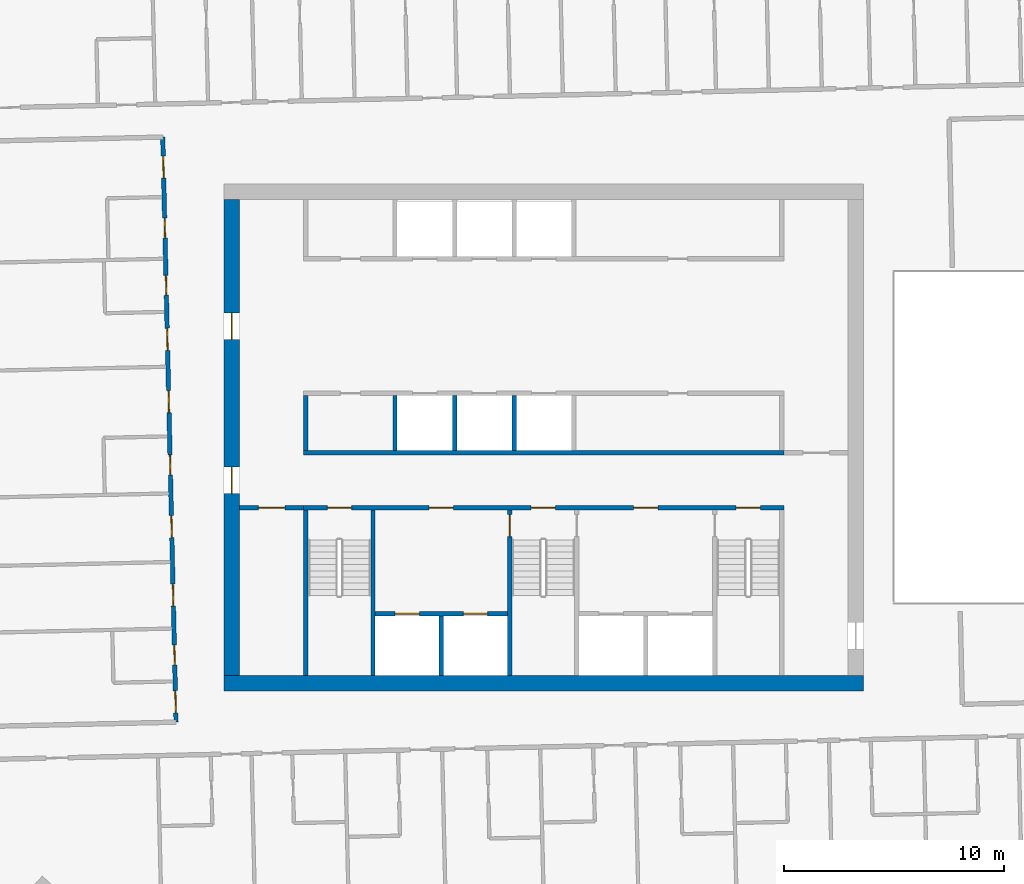
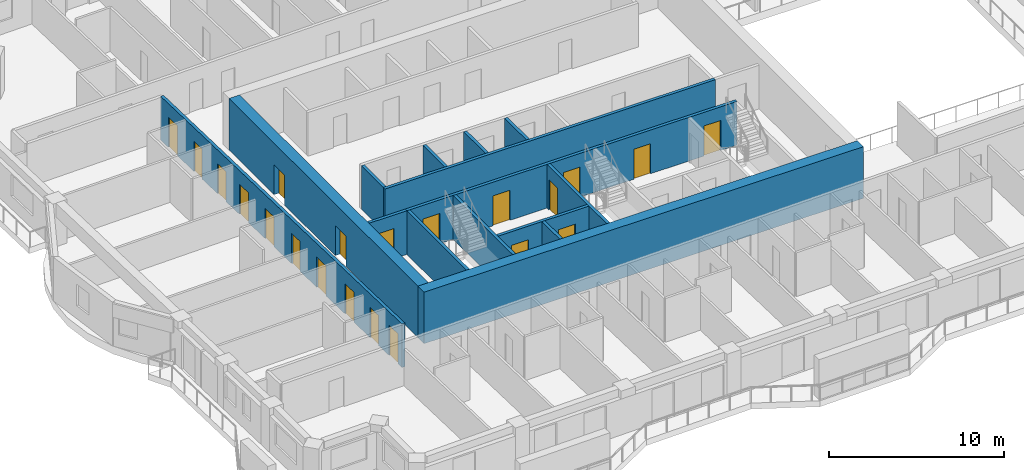
# One storey, part 8 of 18: 21 doors, 15 walls, 21 openings.
"""IFC4 building model written with IfcOpenShell, lengths in metres."""

from ifc_helpers import new_model, si_unit, direction, frame, frame_2d, origin, place, context, subcontext, project, spatial, rectangle, extrude, material, layer, layer_set, type_object, element, fill, save


model = new_model("IFC4")

# Units and contexts
model_context = context("Model", 3, precision=1e-05, world=origin(), true_north=direction((0.0, 1.0)))
body_context = subcontext(model_context, "Body", "Model", "MODEL_VIEW")
ifc_project = project(units=[si_unit("LENGTHUNIT", "METRE"), si_unit("AREAUNIT", "SQUARE_METRE"), si_unit("VOLUMEUNIT", "CUBIC_METRE"), si_unit("PLANEANGLEUNIT", "RADIAN"), si_unit("MASSUNIT", "GRAM", prefix="KILO")], contexts=[model_context])

# Site, building, storey
site_placement = place(None, origin())
site = spatial("IfcSite", under=ifc_project, at=site_placement, CompositionType="ELEMENT")
building_placement = place(site_placement, origin())
building = spatial("IfcBuilding", under=site, at=building_placement, Name="Mangrove Gate Tower", CompositionType="ELEMENT")
storey_placement = place(building_placement, frame((0.0, 0.0, 287.10009765625)))
storey = spatial("IfcBuildingStorey", under=building, at=storey_placement, Name="L73", CompositionType="ELEMENT", Elevation=287.10009765625)

# Wall, opening, door
ifc_material_1 = material(Name="Concrete C32/40", Category="concrete")
ifc_layer_1 = layer(ifc_material_1, 0.199951171875)
ifc_layer_set_1 = layer_set([ifc_layer_1], Name="Core lobby wall 200 C32/40")
wall_type_1 = type_object("IfcWallType", Name="Core lobby wall 200 C32/40", PredefinedType="STANDARD", material=ifc_layer_set_1)
wall_1_placement = place(storey_placement, frame((-13.800048828125, -3.199951171875, 0.0), z_axis=(0.0, 0.0, 1.0), x_axis=(1.0, 0.0, 0.0)))
wall_1 = element("IfcWall", 1, at=wall_1_placement, inside=storey, type_object=wall_type_1, Name="WALL-L73-CORE-31", PredefinedType="STANDARD", context=body_context, shape_type="SweptSolid", body=[
    extrude(rectangle(XDim=2.900146484375, YDim=0.199951171875, at=frame_2d((1.4501953125, 0.0))), origin(), (0.0, 0.0, 1.0), 3.0498046875),
])
opening_1_placement = place(wall_1_placement, frame((0.85009765625, 0.0, 0.0)))
opening_1 = element("IfcOpeningElement", 2, at=opening_1_placement, cuts=wall_1, Name="Opening FL12", PredefinedType="OPENING", context=body_context, shape_type="SweptSolid", body=[
    extrude(rectangle(XDim=1.199951171875, YDim=2.10009765625, at=frame_2d((0.60009765625, 1.050048828125))), frame((0.0, 0.10986328125, 0.0), z_axis=(0.0, -1.0, 0.0), x_axis=(1.0, 0.0, 0.0)), (0.0, 0.0, 1.0), 0.219970703125),
])
ifc_material_2 = material(Name="Fire-rated steel door set", Category="steel")
door_type_1 = type_object("IfcDoorType", Name="Lobby door FD60 1200x2100", OperationType="SINGLE_SWING_LEFT", PredefinedType="DOOR", material=ifc_material_2)
door_1_placement = place(opening_1_placement, origin())
door_1 = element("IfcDoor", 3, at=door_1_placement, inside=storey, type_object=door_type_1, Name="Lobby door core corridor W partition", OperationType="SINGLE_SWING_LEFT", OverallHeight=2.10009765625, OverallWidth=1.199951171875, PredefinedType="DOOR", context=body_context, shape_type="SweptSolid", body=[
    extrude(rectangle(XDim=1.199951171875, YDim=2.10009765625, at=frame_2d((0.60009765625, 1.050048828125))), frame((0.0, 0.02490234375, 0.0), z_axis=(0.0, -1.0, 0.0), x_axis=(1.0, 0.0, 0.0)), (0.0, 0.0, 1.0), 0.050048828125),
])
fill(opening_1, door_1)

# Walls
ifc_material_3 = material(Name="Concrete C32/40", Category="concrete")
ifc_layer_2 = layer(ifc_material_3, 0.199951171875)
ifc_layer_set_2 = layer_set([ifc_layer_2], Name="Core room wall 200 C32/40")
wall_type_2 = type_object("IfcWallType", Name="Core room wall 200 C32/40", PredefinedType="STANDARD", material=ifc_layer_set_2)
wall_2_placement = place(storey_placement, frame((-10.800048828125, -0.60009765625, 0.0), z_axis=(0.0, 0.0, 1.0), x_axis=(0.0, 1.0, 0.0)))
element("IfcWall", 4, at=wall_2_placement, inside=storey, type_object=wall_type_2, Name="WALL-L73-CORE-19", PredefinedType="STANDARD", context=body_context, shape_type="SweptSolid", body=[
    extrude(rectangle(XDim=2.5, YDim=0.199951171875, at=frame_2d((1.25, 0.0))), origin(), (0.0, 0.0, 1.0), 3.0498046875),
])
ifc_material_4 = material(Name="Concrete C50/60", Category="concrete")
ifc_layer_3 = layer(ifc_material_4, 0.199951171875)
ifc_layer_set_3 = layer_set([ifc_layer_3], Name="Core shaft wall 200 C50/60")
wall_type_3 = type_object("IfcWallType", Name="Core shaft wall 200 C50/60", PredefinedType="SHEAR", material=ifc_layer_set_3)
wall_3_placement = place(storey_placement, frame((-10.89990234375, -0.699951171875, 0.0), z_axis=(0.0, 0.0, 1.0), x_axis=(1.0, 0.0, 0.0)))
element("IfcWall", 5, at=wall_3_placement, inside=storey, type_object=wall_type_3, Name="WALL-L73-CORE-6", PredefinedType="SHEAR", context=body_context, shape_type="SweptSolid", body=[
    extrude(rectangle(XDim=21.7998046875, YDim=0.199951171875, at=frame_2d((10.89990234375, 0.0))), origin(), (0.0, 0.0, 1.0), 3.0498046875),
])

# Wall, openings, doors
wall_4_placement = place(storey_placement, frame((-7.64990234375, -8.0, 0.0), z_axis=(0.0, 0.0, 1.0), x_axis=(1.0, 0.0, 0.0)))
wall_4 = element("IfcWall", 6, at=wall_4_placement, inside=storey, type_object=wall_type_3, Name="WALL-L73-CORE-15", PredefinedType="SHEAR", context=body_context, shape_type="SweptSolid", body=[
    extrude(rectangle(XDim=6.0, YDim=0.199951171875, at=frame_2d((3.0, 0.0))), origin(), (0.0, 0.0, 1.0), 3.0498046875),
])
opening_2_placement = place(wall_4_placement, frame((0.89990234375, 0.0, 0.0)))
opening_2 = element("IfcOpeningElement", 7, at=opening_2_placement, cuts=wall_4, Name="Opening LD", PredefinedType="OPENING", context=body_context, shape_type="SweptSolid", body=[
    extrude(rectangle(XDim=1.10009765625, YDim=2.10009765625, at=frame_2d((0.550048828125, 1.050048828125))), frame((0.0, 0.10986328125, 0.0), z_axis=(0.0, -1.0, 0.0), x_axis=(1.0, 0.0, 0.0)), (0.0, 0.0, 1.0), 0.219970703125),
])
opening_3_placement = place(wall_4_placement, frame((4.0, 0.0, 0.0)))
opening_3 = element("IfcOpeningElement", 8, at=opening_3_placement, cuts=wall_4, Name="Opening LD", PredefinedType="OPENING", context=body_context, shape_type="SweptSolid", body=[
    extrude(rectangle(XDim=1.10009765625, YDim=2.10009765625, at=frame_2d((0.550048828125, 1.050048828125))), frame((0.0, 0.10986328125, 0.0), z_axis=(0.0, -1.0, 0.0), x_axis=(1.0, 0.0, 0.0)), (0.0, 0.0, 1.0), 0.219970703125),
])
ifc_material_5 = material(Name="Stainless steel 316", Category="steel")
door_type_2 = type_object("IfcDoorType", Name="Lift landing door 1100x2100", OperationType="SLIDING_TO_LEFT", PredefinedType="DOOR", material=ifc_material_5)
door_2_placement = place(opening_2_placement, origin())
door_2 = element("IfcDoor", 9, at=door_2_placement, inside=storey, type_object=door_type_2, Name="Landing door LD SVL1", OperationType="SLIDING_TO_LEFT", OverallHeight=2.10009765625, OverallWidth=1.10009765625, PredefinedType="DOOR", context=body_context, shape_type="SweptSolid", body=[
    extrude(rectangle(XDim=1.10009765625, YDim=2.10009765625, at=frame_2d((0.550048828125, 1.050048828125))), frame((0.0, 0.02490234375, 0.0), z_axis=(0.0, -1.0, 0.0), x_axis=(1.0, 0.0, 0.0)), (0.0, 0.0, 1.0), 0.050048828125),
])
fill(opening_2, door_2)
door_3_placement = place(opening_3_placement, origin())
door_3 = element("IfcDoor", 10, at=door_3_placement, inside=storey, type_object=door_type_2, Name="Landing door LD SVL2", OperationType="SLIDING_TO_LEFT", OverallHeight=2.10009765625, OverallWidth=1.10009765625, PredefinedType="DOOR", context=body_context, shape_type="SweptSolid", body=[
    extrude(rectangle(XDim=1.10009765625, YDim=2.10009765625, at=frame_2d((0.550048828125, 1.050048828125))), frame((0.0, 0.02490234375, 0.0), z_axis=(0.0, -1.0, 0.0), x_axis=(1.0, 0.0, 0.0)), (0.0, 0.0, 1.0), 0.050048828125),
])
fill(opening_3, door_3)

# Walls
wall_5_placement = place(storey_placement, frame((-4.64990234375, -10.800048828125, 0.0), z_axis=(0.0, 0.0, 1.0), x_axis=(0.0, 1.0, 0.0)))
element("IfcWall", 11, at=wall_5_placement, inside=storey, type_object=wall_type_3, Name="WALL-L73-CORE-16", PredefinedType="SHEAR", context=body_context, shape_type="SweptSolid", body=[
    extrude(rectangle(XDim=2.699951171875, YDim=0.199951171875, at=frame_2d((1.35009765625, 0.0))), origin(), (0.0, 0.0, 1.0), 3.0498046875),
])
for number, where, z_axis, x_axis, name in (
    (12, (-6.75, -0.60009765625, 0.0), (0.0, 0.0, 1.0), (0.0, 1.0, 0.0), "WALL-L73-CORE-20"),
    (13, (-4.050048828125, -0.60009765625, 0.0), (0.0, 0.0, 1.0), (0.0, 1.0, 0.0), "WALL-L73-CORE-21"),
    (14, (-1.35009765625, -0.60009765625, 0.0), (0.0, 0.0, 1.0), (0.0, 1.0, 0.0), "WALL-L73-CORE-22"),
):
    element("IfcWall", number, at=place(storey_placement, frame(where, z_axis=z_axis, x_axis=x_axis)), inside=storey, type_object=wall_type_3, Name=name, PredefinedType="SHEAR", context=body_context, shape_type="SweptSolid", body=[
        extrude(rectangle(XDim=2.5, YDim=0.199951171875, at=frame_2d((1.25, 0.0))), origin(), (0.0, 0.0, 1.0), 3.0498046875),
    ])

# Wall, openings, doors
ifc_material_6 = material(Name="Concrete C50/60", Category="concrete")
ifc_layer_4 = layer(ifc_material_6, 0.199951171875)
ifc_layer_set_4 = layer_set([ifc_layer_4], Name="Core stair wall 200 C50/60")
wall_type_4 = type_object("IfcWallType", Name="Core stair wall 200 C50/60", PredefinedType="SHEAR", material=ifc_layer_set_4)
wall_6_placement = place(storey_placement, frame((-10.89990234375, -3.199951171875, 0.0), z_axis=(0.0, 0.0, 1.0), x_axis=(1.0, 0.0, 0.0)))
wall_6 = element("IfcWall", 15, at=wall_6_placement, inside=storey, type_object=wall_type_4, Name="WALL-L73-CORE-5", PredefinedType="SHEAR", context=body_context, shape_type="SweptSolid", body=[
    extrude(rectangle(XDim=21.7998046875, YDim=0.199951171875, at=frame_2d((10.89990234375, 0.0))), origin(), (0.0, 0.0, 1.0), 3.0498046875),
])
opening_4_placement = place(wall_6_placement, frame((1.074951171875, 0.0, 0.0)))
opening_4 = element("IfcOpeningElement", 16, at=opening_4_placement, cuts=wall_6, Name="Opening STD11", PredefinedType="OPENING", context=body_context, shape_type="SweptSolid", body=[
    extrude(rectangle(XDim=1.10009765625, YDim=2.10009765625, at=frame_2d((0.550048828125, 1.050048828125))), frame((0.0, 0.10986328125, 0.0), z_axis=(0.0, -1.0, 0.0), x_axis=(1.0, 0.0, 0.0)), (0.0, 0.0, 1.0), 0.219970703125),
])
opening_5_placement = place(wall_6_placement, frame((10.324951171875, 0.0, 0.0)))
opening_5 = element("IfcOpeningElement", 17, at=opening_5_placement, cuts=wall_6, Name="Opening STD11", PredefinedType="OPENING", context=body_context, shape_type="SweptSolid", body=[
    extrude(rectangle(XDim=1.10009765625, YDim=2.10009765625, at=frame_2d((0.550048828125, 1.050048828125))), frame((0.0, 0.10986328125, 0.0), z_axis=(0.0, -1.0, 0.0), x_axis=(1.0, 0.0, 0.0)), (0.0, 0.0, 1.0), 0.219970703125),
])
opening_6_placement = place(wall_6_placement, frame((19.625, 0.0, 0.0)))
opening_6 = element("IfcOpeningElement", 18, at=opening_6_placement, cuts=wall_6, Name="Opening STD11", PredefinedType="OPENING", context=body_context, shape_type="SweptSolid", body=[
    extrude(rectangle(XDim=1.10009765625, YDim=2.10009765625, at=frame_2d((0.550048828125, 1.050048828125))), frame((0.0, 0.10986328125, 0.0), z_axis=(0.0, -1.0, 0.0), x_axis=(1.0, 0.0, 0.0)), (0.0, 0.0, 1.0), 0.219970703125),
])
opening_7_placement = place(wall_6_placement, frame((5.699951171875, 0.0, 0.0)))
opening_7 = element("IfcOpeningElement", 19, at=opening_7_placement, cuts=wall_6, Name="Opening FL", PredefinedType="OPENING", context=body_context, shape_type="SweptSolid", body=[
    extrude(rectangle(XDim=1.10009765625, YDim=2.10009765625, at=frame_2d((0.550048828125, 1.050048828125))), frame((0.0, 0.10986328125, 0.0), z_axis=(0.0, -1.0, 0.0), x_axis=(1.0, 0.0, 0.0)), (0.0, 0.0, 1.0), 0.219970703125),
])
opening_8_placement = place(wall_6_placement, frame((14.97509765625, 0.0, 0.0)))
opening_8 = element("IfcOpeningElement", 20, at=opening_8_placement, cuts=wall_6, Name="Opening FL", PredefinedType="OPENING", context=body_context, shape_type="SweptSolid", body=[
    extrude(rectangle(XDim=1.10009765625, YDim=2.10009765625, at=frame_2d((0.550048828125, 1.050048828125))), frame((0.0, 0.10986328125, 0.0), z_axis=(0.0, -1.0, 0.0), x_axis=(1.0, 0.0, 0.0)), (0.0, 0.0, 1.0), 0.219970703125),
])
ifc_material_7 = material(Name="Fire-rated steel door set", Category="steel")
door_type_3 = type_object("IfcDoorType", Name="Lobby door FD60 1100x2100", OperationType="SINGLE_SWING_LEFT", PredefinedType="DOOR", material=ifc_material_7)
door_4_placement = place(opening_7_placement, origin())
door_4 = element("IfcDoor", 21, at=door_4_placement, inside=storey, type_object=door_type_3, Name="Lobby door service lobby", OperationType="SINGLE_SWING_LEFT", OverallHeight=2.10009765625, OverallWidth=1.10009765625, PredefinedType="DOOR", context=body_context, shape_type="SweptSolid", body=[
    extrude(rectangle(XDim=1.10009765625, YDim=2.10009765625, at=frame_2d((0.550048828125, 1.050048828125))), frame((0.0, 0.02490234375, 0.0), z_axis=(0.0, -1.0, 0.0), x_axis=(1.0, 0.0, 0.0)), (0.0, 0.0, 1.0), 0.050048828125),
])
fill(opening_7, door_4)
door_5_placement = place(opening_8_placement, origin())
door_5 = element("IfcDoor", 22, at=door_5_placement, inside=storey, type_object=door_type_3, Name="Lobby door fire-fighting lobby", OperationType="SINGLE_SWING_LEFT", OverallHeight=2.10009765625, OverallWidth=1.10009765625, PredefinedType="DOOR", context=body_context, shape_type="SweptSolid", body=[
    extrude(rectangle(XDim=1.10009765625, YDim=2.10009765625, at=frame_2d((0.550048828125, 1.050048828125))), frame((0.0, 0.02490234375, 0.0), z_axis=(0.0, -1.0, 0.0), x_axis=(1.0, 0.0, 0.0)), (0.0, 0.0, 1.0), 0.050048828125),
])
fill(opening_8, door_5)
ifc_material_8 = material(Name="Fire-rated steel door set", Category="steel")
door_type_4 = type_object("IfcDoorType", Name="Stair door FD60 1100x2100", OperationType="SINGLE_SWING_RIGHT", PredefinedType="DOOR", material=ifc_material_8)
door_6_placement = place(opening_4_placement, origin())
door_6 = element("IfcDoor", 23, at=door_6_placement, inside=storey, type_object=door_type_4, Name="Stair door Stair 1", OperationType="SINGLE_SWING_RIGHT", OverallHeight=2.10009765625, OverallWidth=1.10009765625, PredefinedType="DOOR", context=body_context, shape_type="SweptSolid", body=[
    extrude(rectangle(XDim=1.10009765625, YDim=2.10009765625, at=frame_2d((0.550048828125, 1.050048828125))), frame((0.0, 0.02490234375, 0.0), z_axis=(0.0, -1.0, 0.0), x_axis=(1.0, 0.0, 0.0)), (0.0, 0.0, 1.0), 0.050048828125),
])
fill(opening_4, door_6)
door_7_placement = place(opening_5_placement, origin())
door_7 = element("IfcDoor", 24, at=door_7_placement, inside=storey, type_object=door_type_4, Name="Stair door Stair 2", OperationType="SINGLE_SWING_RIGHT", OverallHeight=2.10009765625, OverallWidth=1.10009765625, PredefinedType="DOOR", context=body_context, shape_type="SweptSolid", body=[
    extrude(rectangle(XDim=1.10009765625, YDim=2.10009765625, at=frame_2d((0.550048828125, 1.050048828125))), frame((0.0, 0.02490234375, 0.0), z_axis=(0.0, -1.0, 0.0), x_axis=(1.0, 0.0, 0.0)), (0.0, 0.0, 1.0), 0.050048828125),
])
fill(opening_5, door_7)
door_8_placement = place(opening_6_placement, origin())
door_8 = element("IfcDoor", 25, at=door_8_placement, inside=storey, type_object=door_type_4, Name="Stair door Stair 3", OperationType="SINGLE_SWING_RIGHT", OverallHeight=2.10009765625, OverallWidth=1.10009765625, PredefinedType="DOOR", context=body_context, shape_type="SweptSolid", body=[
    extrude(rectangle(XDim=1.10009765625, YDim=2.10009765625, at=frame_2d((0.550048828125, 1.050048828125))), frame((0.0, 0.02490234375, 0.0), z_axis=(0.0, -1.0, 0.0), x_axis=(1.0, 0.0, 0.0)), (0.0, 0.0, 1.0), 0.050048828125),
])
fill(opening_6, door_8)

# Walls
for number, where, z_axis, x_axis, name in (
    (26, (-10.800048828125, -10.800048828125, 0.0), (0.0, 0.0, 1.0), (0.0, 1.0, 0.0), "WALL-L73-CORE-9"),
    (27, (-7.75, -10.800048828125, 0.0), (0.0, 0.0, 1.0), (0.0, 1.0, 0.0), "WALL-L73-CORE-10"),
):
    element("IfcWall", number, at=place(storey_placement, frame(where, z_axis=z_axis, x_axis=x_axis)), inside=storey, type_object=wall_type_4, Name=name, PredefinedType="SHEAR", context=body_context, shape_type="SweptSolid", body=[
        extrude(rectangle(XDim=7.5, YDim=0.199951171875, at=frame_2d((3.75, 0.0))), origin(), (0.0, 0.0, 1.0), 3.0498046875),
    ])

# Wall, opening, door
wall_7_placement = place(storey_placement, frame((-1.550048828125, -10.800048828125, 0.0), z_axis=(0.0, 0.0, 1.0), x_axis=(0.0, 1.0, 0.0)))
wall_7 = element("IfcWall", 28, at=wall_7_placement, inside=storey, type_object=wall_type_4, Name="WALL-L73-CORE-11", PredefinedType="SHEAR", context=body_context, shape_type="SweptSolid", body=[
    extrude(rectangle(XDim=7.5, YDim=0.199951171875, at=frame_2d((3.75, 0.0))), origin(), (0.0, 0.0, 1.0), 3.0498046875),
])
opening_9_placement = place(wall_7_placement, frame((6.300048828125, 0.0, 0.0)))
opening_9 = element("IfcOpeningElement", 29, at=opening_9_placement, cuts=wall_7, Name="Opening STD10", PredefinedType="OPENING", context=body_context, shape_type="SweptSolid", body=[
    extrude(rectangle(XDim=1.0, YDim=2.10009765625, at=frame_2d((0.5, 1.050048828125))), frame((0.0, 0.10986328125, 0.0), z_axis=(0.0, -1.0, 0.0), x_axis=(1.0, 0.0, 0.0)), (0.0, 0.0, 1.0), 0.219970703125),
])
ifc_material_9 = material(Name="Fire-rated steel door set", Category="steel")
door_type_5 = type_object("IfcDoorType", Name="Stair door FD60 1000x2100", OperationType="SINGLE_SWING_RIGHT", PredefinedType="DOOR", material=ifc_material_9)
door_9_placement = place(opening_9_placement, origin())
door_9 = element("IfcDoor", 30, at=door_9_placement, inside=storey, type_object=door_type_5, Name="Stair door Stair 2 from service lobby", OperationType="SINGLE_SWING_RIGHT", OverallHeight=2.10009765625, OverallWidth=1.0, PredefinedType="DOOR", context=body_context, shape_type="SweptSolid", body=[
    extrude(rectangle(XDim=1.0, YDim=2.10009765625, at=frame_2d((0.5, 1.050048828125))), frame((0.0, 0.02490234375, 0.0), z_axis=(0.0, -1.0, 0.0), x_axis=(1.0, 0.0, 0.0)), (0.0, 0.0, 1.0), 0.050048828125),
])
fill(opening_9, door_9)

# Wall
ifc_material_10 = material(Name="Concrete C50/60", Category="concrete")
ifc_layer_5 = layer(ifc_material_10, 0.699951171875)
ifc_layer_set_5 = layer_set([ifc_layer_5], Name="Core wall 700 C50/60")
wall_type_5 = type_object("IfcWallType", Name="Core wall 700 C50/60", PredefinedType="SHEAR", material=ifc_layer_set_5)
wall_8_placement = place(storey_placement, frame((-14.5, -11.14990234375, 0.0), z_axis=(0.0, 0.0, 1.0), x_axis=(1.0, 0.0, 0.0)))
element("IfcWall", 31, at=wall_8_placement, inside=storey, type_object=wall_type_5, Name="WALL-L73-CORE-1", PredefinedType="SHEAR", context=body_context, shape_type="SweptSolid", body=[
    extrude(rectangle(XDim=29.0, YDim=0.699951171875, at=frame_2d((14.5, 0.0))), origin(), (0.0, 0.0, 1.0), 3.599853515625),
])

# Wall, openings, doors
wall_9_placement = place(storey_placement, frame((-14.14990234375, -10.800048828125, 0.0), z_axis=(0.0, 0.0, 1.0), x_axis=(0.0, 1.0, 0.0)))
wall_9 = element("IfcWall", 32, at=wall_9_placement, inside=storey, type_object=wall_type_5, Name="WALL-L73-CORE-3", PredefinedType="SHEAR", context=body_context, shape_type="SweptSolid", body=[
    extrude(rectangle(XDim=21.60009765625, YDim=0.699951171875, at=frame_2d((10.800048828125, 0.0))), origin(), (0.0, 0.0, 1.0), 3.599853515625),
])
opening_10_placement = place(wall_9_placement, frame((8.25, 0.0, 0.0)))
opening_10 = element("IfcOpeningElement", 33, at=opening_10_placement, cuts=wall_9, Name="Opening CD", PredefinedType="OPENING", context=body_context, shape_type="SweptSolid", body=[
    extrude(rectangle(XDim=1.199951171875, YDim=2.10009765625, at=frame_2d((0.60009765625, 1.050048828125))), frame((0.0, 0.35986328125, 0.0), z_axis=(0.0, -1.0, 0.0), x_axis=(1.0, 0.0, 0.0)), (0.0, 0.0, 1.0), 0.719970703125),
])
opening_11_placement = place(wall_9_placement, frame((15.25, 0.0, 0.0)))
opening_11 = element("IfcOpeningElement", 34, at=opening_11_placement, cuts=wall_9, Name="Opening CD", PredefinedType="OPENING", context=body_context, shape_type="SweptSolid", body=[
    extrude(rectangle(XDim=1.199951171875, YDim=2.10009765625, at=frame_2d((0.60009765625, 1.050048828125))), frame((0.0, 0.35986328125, 0.0), z_axis=(0.0, -1.0, 0.0), x_axis=(1.0, 0.0, 0.0)), (0.0, 0.0, 1.0), 0.719970703125),
])
ifc_material_11 = material(Name="Fire-rated steel door set", Category="steel")
door_type_6 = type_object("IfcDoorType", Name="Core ring door FD60 1200x2100", OperationType="DOUBLE_DOOR_SINGLE_SWING", PredefinedType="DOOR", material=ifc_material_11)
door_10_placement = place(opening_10_placement, origin())
door_10 = element("IfcDoor", 35, at=door_10_placement, inside=storey, type_object=door_type_6, Name="Core ring door W1", OperationType="DOUBLE_DOOR_SINGLE_SWING", OverallHeight=2.10009765625, OverallWidth=1.199951171875, PredefinedType="DOOR", context=body_context, shape_type="SweptSolid", body=[
    extrude(rectangle(XDim=1.199951171875, YDim=2.10009765625, at=frame_2d((0.60009765625, 1.050048828125))), frame((0.0, 0.02490234375, 0.0), z_axis=(0.0, -1.0, 0.0), x_axis=(1.0, 0.0, 0.0)), (0.0, 0.0, 1.0), 0.050048828125),
])
fill(opening_10, door_10)
door_11_placement = place(opening_11_placement, origin())
door_11 = element("IfcDoor", 36, at=door_11_placement, inside=storey, type_object=door_type_6, Name="Core ring door W2", OperationType="DOUBLE_DOOR_SINGLE_SWING", OverallHeight=2.10009765625, OverallWidth=1.199951171875, PredefinedType="DOOR", context=body_context, shape_type="SweptSolid", body=[
    extrude(rectangle(XDim=1.199951171875, YDim=2.10009765625, at=frame_2d((0.60009765625, 1.050048828125))), frame((0.0, 0.02490234375, 0.0), z_axis=(0.0, -1.0, 0.0), x_axis=(1.0, 0.0, 0.0)), (0.0, 0.0, 1.0), 0.050048828125),
])
fill(opening_11, door_11)

ifc_material_12 = material(Name="Gypsum board on steel stud, EI 60", Category="steel")
ifc_layer_6 = layer(ifc_material_12, 0.199951171875)
ifc_layer_set_6 = layer_set([ifc_layer_6], Name="Corridor wall EI 60")
wall_type_6 = type_object("IfcWallType", Name="Corridor wall EI 60", PredefinedType="PARTITIONING", material=ifc_layer_set_6)
wall_10_placement = place(storey_placement, frame((-16.68408203125, -12.9189453125, 0.0), z_axis=(0.0, 0.0, 1.0), x_axis=(-0.022712214871, 0.999742044377, 0.0)))
wall_10 = element("IfcWall", 37, at=wall_10_placement, inside=storey, type_object=wall_type_6, Name="WALL-L73-033", PredefinedType="PARTITIONING", context=body_context, shape_type="SweptSolid", body=[
    extrude(rectangle(XDim=26.55078125, YDim=0.199951171875, at=frame_2d((13.275390625, 0.0))), origin(), (0.0, 0.0, 1.0), 3.0498046875),
])
opening_12_placement = place(wall_10_placement, frame((24.68798828125, 0.0, 0.0)))
opening_12 = element("IfcOpeningElement", 38, at=opening_12_placement, cuts=wall_10, Name="Opening AD", PredefinedType="OPENING", context=body_context, shape_type="SweptSolid", body=[
    extrude(rectangle(XDim=1.0, YDim=2.10009765625, at=frame_2d((0.5, 1.050048828125))), frame((0.0, 0.10986328125, 0.0), z_axis=(0.0, -1.0, 0.0), x_axis=(1.0, 0.0, 0.0)), (0.0, 0.0, 1.0), 0.219970703125),
])
opening_13_placement = place(wall_10_placement, frame((21.97509765625, 0.0, 0.0)))
opening_13 = element("IfcOpeningElement", 39, at=opening_13_placement, cuts=wall_10, Name="Opening SD", PredefinedType="OPENING", context=body_context, shape_type="SweptSolid", body=[
    extrude(rectangle(XDim=0.89990234375, YDim=2.10009765625, at=frame_2d((0.449951171875, 1.050048828125))), frame((0.0, 0.10986328125, 0.0), z_axis=(0.0, -1.0, 0.0), x_axis=(1.0, 0.0, 0.0)), (0.0, 0.0, 1.0), 0.219970703125),
])
opening_14_placement = place(wall_10_placement, frame((16.875, 0.0, 0.0)))
opening_14 = element("IfcOpeningElement", 40, at=opening_14_placement, cuts=wall_10, Name="Opening AD", PredefinedType="OPENING", context=body_context, shape_type="SweptSolid", body=[
    extrude(rectangle(XDim=1.0, YDim=2.10009765625, at=frame_2d((0.5, 1.050048828125))), frame((0.0, 0.10986328125, 0.0), z_axis=(0.0, -1.0, 0.0), x_axis=(1.0, 0.0, 0.0)), (0.0, 0.0, 1.0), 0.219970703125),
])
opening_15_placement = place(wall_10_placement, frame((19.375, 0.0, 0.0)))
opening_15 = element("IfcOpeningElement", 41, at=opening_15_placement, cuts=wall_10, Name="Opening SD", PredefinedType="OPENING", context=body_context, shape_type="SweptSolid", body=[
    extrude(rectangle(XDim=0.89990234375, YDim=2.10009765625, at=frame_2d((0.449951171875, 1.050048828125))), frame((0.0, 0.10986328125, 0.0), z_axis=(0.0, -1.0, 0.0), x_axis=(1.0, 0.0, 0.0)), (0.0, 0.0, 1.0), 0.219970703125),
])
opening_16_placement = place(wall_10_placement, frame((14.050048828125, 0.0, 0.0)))
opening_16 = element("IfcOpeningElement", 42, at=opening_16_placement, cuts=wall_10, Name="Opening AD", PredefinedType="OPENING", context=body_context, shape_type="SweptSolid", body=[
    extrude(rectangle(XDim=1.0, YDim=2.10009765625, at=frame_2d((0.5, 1.050048828125))), frame((0.0, 0.10986328125, 0.0), z_axis=(0.0, -1.0, 0.0), x_axis=(1.0, 0.0, 0.0)), (0.0, 0.0, 1.0), 0.219970703125),
])
opening_17_placement = place(wall_10_placement, frame((11.22509765625, 0.0, 0.0)))
opening_17 = element("IfcOpeningElement", 43, at=opening_17_placement, cuts=wall_10, Name="Opening SD", PredefinedType="OPENING", context=body_context, shape_type="SweptSolid", body=[
    extrude(rectangle(XDim=0.89990234375, YDim=2.10009765625, at=frame_2d((0.449951171875, 1.050048828125))), frame((0.0, 0.10986328125, 0.0), z_axis=(0.0, -1.0, 0.0), x_axis=(1.0, 0.0, 0.0)), (0.0, 0.0, 1.0), 0.219970703125),
])
opening_18_placement = place(wall_10_placement, frame((8.3701171875, 0.0, 0.0)))
opening_18 = element("IfcOpeningElement", 44, at=opening_18_placement, cuts=wall_10, Name="Opening AD", PredefinedType="OPENING", context=body_context, shape_type="SweptSolid", body=[
    extrude(rectangle(XDim=1.0, YDim=2.10009765625, at=frame_2d((0.5, 1.050048828125))), frame((0.0, 0.10986328125, 0.0), z_axis=(0.0, -1.0, 0.0), x_axis=(1.0, 0.0, 0.0)), (0.0, 0.0, 1.0), 0.219970703125),
])
opening_19_placement = place(wall_10_placement, frame((5.262939453125, 0.0, 0.0)))
opening_19 = element("IfcOpeningElement", 45, at=opening_19_placement, cuts=wall_10, Name="Opening AD", PredefinedType="OPENING", context=body_context, shape_type="SweptSolid", body=[
    extrude(rectangle(XDim=1.0, YDim=2.10009765625, at=frame_2d((0.5, 1.050048828125))), frame((0.0, 0.10986328125, 0.0), z_axis=(0.0, -1.0, 0.0), x_axis=(1.0, 0.0, 0.0)), (0.0, 0.0, 1.0), 0.219970703125),
])
opening_20_placement = place(wall_10_placement, frame((0.425048828125, 0.0, 0.0)))
opening_20 = element("IfcOpeningElement", 46, at=opening_20_placement, cuts=wall_10, Name="Opening AD", PredefinedType="OPENING", context=body_context, shape_type="SweptSolid", body=[
    extrude(rectangle(XDim=1.0, YDim=2.10009765625, at=frame_2d((0.5, 1.050048828125))), frame((0.0, 0.10986328125, 0.0), z_axis=(0.0, -1.0, 0.0), x_axis=(1.0, 0.0, 0.0)), (0.0, 0.0, 1.0), 0.219970703125),
])
opening_21_placement = place(wall_10_placement, frame((2.60009765625, 0.0, 0.0)))
opening_21 = element("IfcOpeningElement", 47, at=opening_21_placement, cuts=wall_10, Name="Opening SD", PredefinedType="OPENING", context=body_context, shape_type="SweptSolid", body=[
    extrude(rectangle(XDim=0.89990234375, YDim=2.10009765625, at=frame_2d((0.449951171875, 1.050048828125))), frame((0.0, 0.10986328125, 0.0), z_axis=(0.0, -1.0, 0.0), x_axis=(1.0, 0.0, 0.0)), (0.0, 0.0, 1.0), 0.219970703125),
])
ifc_material_13 = material(Name="Timber door leaf", Category="wood")
door_type_7 = type_object("IfcDoorType", Name="Amenity door 1000", OperationType="SINGLE_SWING_LEFT", PredefinedType="DOOR", material=ifc_material_13)
door_12_placement = place(opening_12_placement, origin())
door_12 = element("IfcDoor", 48, at=door_12_placement, inside=storey, type_object=door_type_7, Name="DOOR-L73-GAM-c5a", OperationType="SINGLE_SWING_LEFT", OverallHeight=2.10009765625, OverallWidth=1.0, PredefinedType="DOOR", context=body_context, shape_type="SweptSolid", body=[
    extrude(rectangle(XDim=1.0, YDim=2.10009765625, at=frame_2d((0.5, 1.050048828125))), frame((0.0, 0.02490234375, 0.0), z_axis=(0.0, -1.0, 0.0), x_axis=(1.0, 0.0, 0.0)), (0.0, 0.0, 1.0), 0.050048828125),
])
fill(opening_12, door_12)
door_13_placement = place(opening_14_placement, origin())
door_13 = element("IfcDoor", 49, at=door_13_placement, inside=storey, type_object=door_type_7, Name="DOOR-L73-LNG-c5b", OperationType="SINGLE_SWING_RIGHT", OverallHeight=2.10009765625, OverallWidth=1.0, PredefinedType="DOOR", context=body_context, shape_type="SweptSolid", body=[
    extrude(rectangle(XDim=1.0, YDim=2.10009765625, at=frame_2d((0.5, 1.050048828125))), frame((0.0, 0.02490234375, 0.0), z_axis=(0.0, -1.0, 0.0), x_axis=(1.0, 0.0, 0.0)), (0.0, 0.0, 1.0), 0.050048828125),
])
fill(opening_14, door_13)
door_14_placement = place(opening_16_placement, origin())
door_14 = element("IfcDoor", 50, at=door_14_placement, inside=storey, type_object=door_type_7, Name="DOOR-L73-LNG-c5c", OperationType="SINGLE_SWING_LEFT", OverallHeight=2.10009765625, OverallWidth=1.0, PredefinedType="DOOR", context=body_context, shape_type="SweptSolid", body=[
    extrude(rectangle(XDim=1.0, YDim=2.10009765625, at=frame_2d((0.5, 1.050048828125))), frame((0.0, 0.02490234375, 0.0), z_axis=(0.0, -1.0, 0.0), x_axis=(1.0, 0.0, 0.0)), (0.0, 0.0, 1.0), 0.050048828125),
])
fill(opening_16, door_14)
door_15_placement = place(opening_18_placement, origin())
door_15 = element("IfcDoor", 51, at=door_15_placement, inside=storey, type_object=door_type_7, Name="DOOR-L73-STU-c5a", OperationType="SINGLE_SWING_RIGHT", OverallHeight=2.10009765625, OverallWidth=1.0, PredefinedType="DOOR", context=body_context, shape_type="SweptSolid", body=[
    extrude(rectangle(XDim=1.0, YDim=2.10009765625, at=frame_2d((0.5, 1.050048828125))), frame((0.0, 0.02490234375, 0.0), z_axis=(0.0, -1.0, 0.0), x_axis=(1.0, 0.0, 0.0)), (0.0, 0.0, 1.0), 0.050048828125),
])
fill(opening_18, door_15)
door_16_placement = place(opening_19_placement, origin())
door_16 = element("IfcDoor", 52, at=door_16_placement, inside=storey, type_object=door_type_7, Name="DOOR-L73-STU-c5b", OperationType="SINGLE_SWING_LEFT", OverallHeight=2.10009765625, OverallWidth=1.0, PredefinedType="DOOR", context=body_context, shape_type="SweptSolid", body=[
    extrude(rectangle(XDim=1.0, YDim=2.10009765625, at=frame_2d((0.5, 1.050048828125))), frame((0.0, 0.02490234375, 0.0), z_axis=(0.0, -1.0, 0.0), x_axis=(1.0, 0.0, 0.0)), (0.0, 0.0, 1.0), 0.050048828125),
])
fill(opening_19, door_16)
door_17_placement = place(opening_20_placement, origin())
door_17 = element("IfcDoor", 53, at=door_17_placement, inside=storey, type_object=door_type_7, Name="DOOR-L73-KIT-c5a", OperationType="SINGLE_SWING_RIGHT", OverallHeight=2.10009765625, OverallWidth=1.0, PredefinedType="DOOR", context=body_context, shape_type="SweptSolid", body=[
    extrude(rectangle(XDim=1.0, YDim=2.10009765625, at=frame_2d((0.5, 1.050048828125))), frame((0.0, 0.02490234375, 0.0), z_axis=(0.0, -1.0, 0.0), x_axis=(1.0, 0.0, 0.0)), (0.0, 0.0, 1.0), 0.050048828125),
])
fill(opening_20, door_17)
ifc_material_14 = material(Name="Timber door leaf", Category="wood")
door_type_8 = type_object("IfcDoorType", Name="Service room door 900", OperationType="SINGLE_SWING_LEFT", PredefinedType="DOOR", material=ifc_material_14)
door_18_placement = place(opening_13_placement, origin())
door_18 = element("IfcDoor", 54, at=door_18_placement, inside=storey, type_object=door_type_8, Name="DOOR-L73-LDY-c5a", OperationType="SINGLE_SWING_RIGHT", OverallHeight=2.10009765625, OverallWidth=0.89990234375, PredefinedType="DOOR", context=body_context, shape_type="SweptSolid", body=[
    extrude(rectangle(XDim=0.89990234375, YDim=2.10009765625, at=frame_2d((0.449951171875, 1.050048828125))), frame((0.0, 0.02490234375, 0.0), z_axis=(0.0, -1.0, 0.0), x_axis=(1.0, 0.0, 0.0)), (0.0, 0.0, 1.0), 0.050048828125),
])
fill(opening_13, door_18)
door_19_placement = place(opening_15_placement, origin())
door_19 = element("IfcDoor", 55, at=door_19_placement, inside=storey, type_object=door_type_8, Name="DOOR-L73-WC-c5a", OperationType="SINGLE_SWING_LEFT", OverallHeight=2.10009765625, OverallWidth=0.89990234375, PredefinedType="DOOR", context=body_context, shape_type="SweptSolid", body=[
    extrude(rectangle(XDim=0.89990234375, YDim=2.10009765625, at=frame_2d((0.449951171875, 1.050048828125))), frame((0.0, 0.02490234375, 0.0), z_axis=(0.0, -1.0, 0.0), x_axis=(1.0, 0.0, 0.0)), (0.0, 0.0, 1.0), 0.050048828125),
])
fill(opening_15, door_19)
door_20_placement = place(opening_17_placement, origin())
door_20 = element("IfcDoor", 56, at=door_20_placement, inside=storey, type_object=door_type_8, Name="DOOR-L73-AWC-c5b", OperationType="SINGLE_SWING_RIGHT", OverallHeight=2.10009765625, OverallWidth=0.89990234375, PredefinedType="DOOR", context=body_context, shape_type="SweptSolid", body=[
    extrude(rectangle(XDim=0.89990234375, YDim=2.10009765625, at=frame_2d((0.449951171875, 1.050048828125))), frame((0.0, 0.02490234375, 0.0), z_axis=(0.0, -1.0, 0.0), x_axis=(1.0, 0.0, 0.0)), (0.0, 0.0, 1.0), 0.050048828125),
])
fill(opening_17, door_20)
door_21_placement = place(opening_21_placement, origin())
door_21 = element("IfcDoor", 57, at=door_21_placement, inside=storey, type_object=door_type_8, Name="DOOR-L73-WC-c5b", OperationType="SINGLE_SWING_LEFT", OverallHeight=2.10009765625, OverallWidth=0.89990234375, PredefinedType="DOOR", context=body_context, shape_type="SweptSolid", body=[
    extrude(rectangle(XDim=0.89990234375, YDim=2.10009765625, at=frame_2d((0.449951171875, 1.050048828125))), frame((0.0, 0.02490234375, 0.0), z_axis=(0.0, -1.0, 0.0), x_axis=(1.0, 0.0, 0.0)), (0.0, 0.0, 1.0), 0.050048828125),
])
fill(opening_21, door_21)

save(model, "model.ifc")
